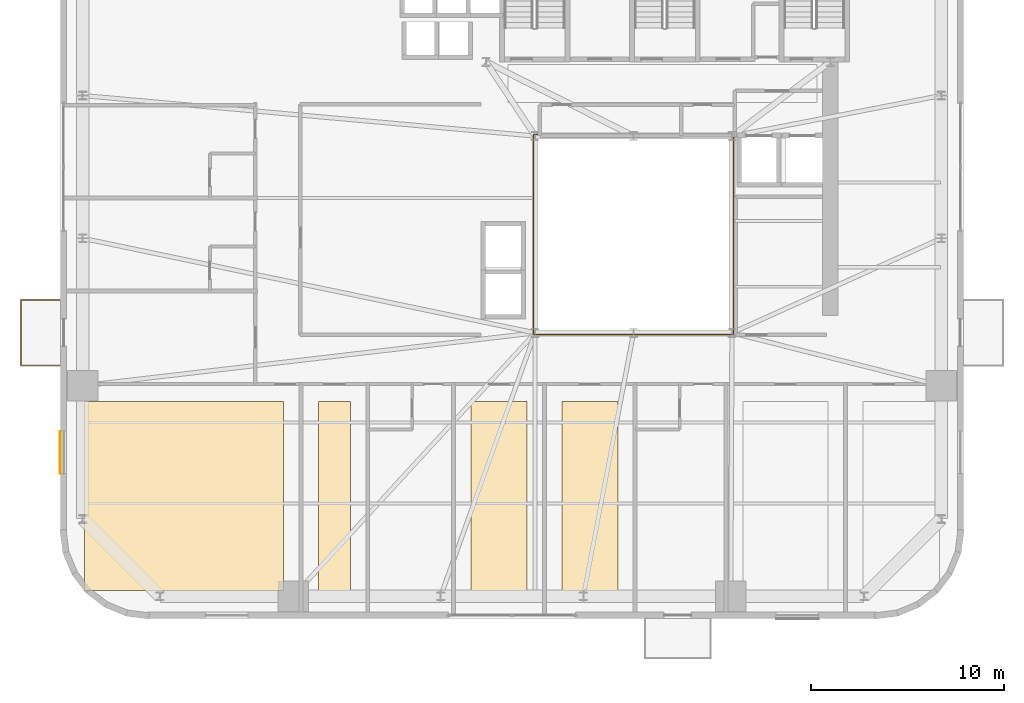
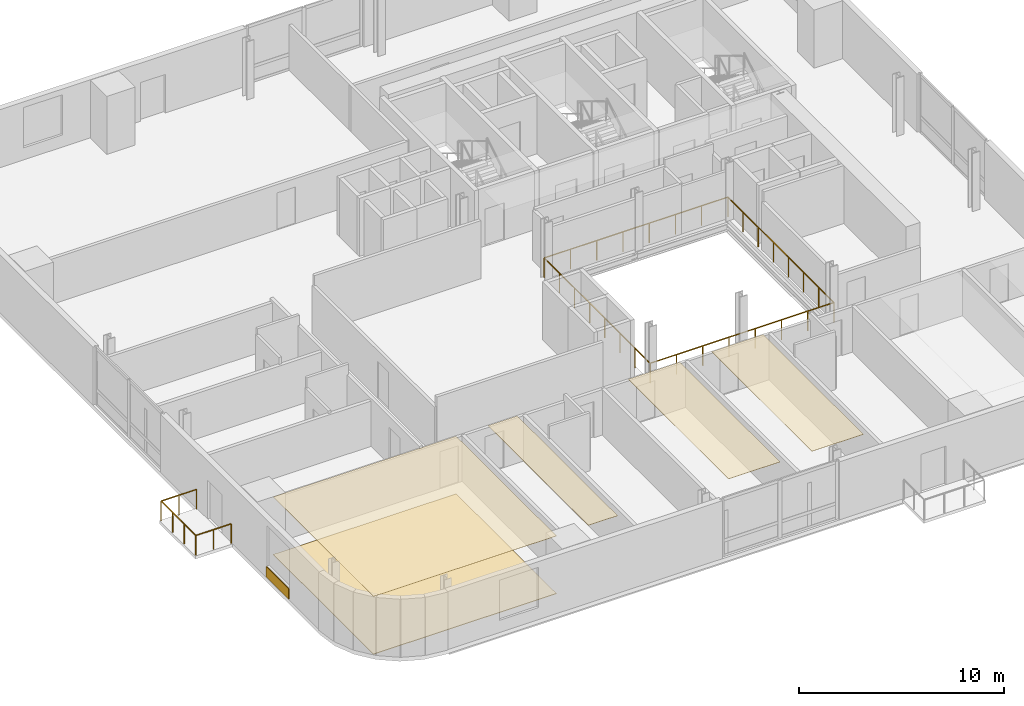
# One storey, part 10 of 14: 6 coverings, 2 railings.
"""IFC4 building model written with IfcOpenShell, lengths in metres."""

import ifcopenshell
import ifcopenshell.guid

model = None  # the IFC model being written
_history = None  # IfcOwnerHistory: only IFC2X3 demands one
_inside = {}  # id of a spatial element -> (the spatial element, [elements in it])
_under = {}  # id of a project, library or spatial element -> (it, [spatial elements below it])
_declared = {}  # id of a project -> (the project, [libraries it declares])
_typed = {}  # id of a type object -> (the type object, [elements of that type])
_made_of = {}  # id of a material, layer set ... -> (it, [elements and type objects made of it])


def new_model(schema):
    """Start an empty IFC model of exactly this schema.

    Asked for "IFC4X3", IfcOpenShell would pick the latest addendum, in which some entities
    have other attributes; the version numbers below select the first issue.
    IFC2X3 requires an IfcOwnerHistory on every rooted entity: one is made here for all.
    """
    global model, _history
    if schema == "IFC4X3":
        model = ifcopenshell.file(schema_version=(4, 3, 0, 0))
    else:
        model = ifcopenshell.file(schema=schema)
    _inside.clear()
    _under.clear()
    _declared.clear()
    _typed.clear()
    _made_of.clear()
    _history = None
    if model.schema == "IFC2X3":
        org = make("IfcOrganization", Name="unknown")
        user = make(
            "IfcPersonAndOrganization",
            ThePerson=make("IfcPerson", FamilyName="unknown"),
            TheOrganization=org,
        )
        app = make(
            "IfcApplication",
            ApplicationDeveloper=org,
            Version="unknown",
            ApplicationFullName="unknown",
            ApplicationIdentifier="unknown",
        )
        _history = make(
            "IfcOwnerHistory",
            OwningUser=user,
            OwningApplication=app,
            ChangeAction="ADDED",
            CreationDate=0,
        )
    return model


def make(cls, **values):
    """One entity of the class cls with the attributes given. An attribute that is None is left unset."""
    return model.create_entity(
        cls, **{name: value for name, value in values.items() if value is not None}
    )


def rooted(cls, **values):
    """An entity with a GlobalId (a new one), such as an element, a storey or a relation."""
    return make(cls, GlobalId=ifcopenshell.guid.new(), OwnerHistory=_history, **values)


def si_unit(unit_type, name, prefix=None):
    """IfcSIUnit, for example si_unit("LENGTHUNIT", "METRE", prefix="MILLI")."""
    return make("IfcSIUnit", UnitType=unit_type, Prefix=prefix, Name=name)


def assignment(units):
    """IfcUnitAssignment: the units of a project."""
    return None if units is None else make("IfcUnitAssignment", Units=units)


def point(xyz):
    """IfcCartesianPoint."""
    return None if xyz is None else make("IfcCartesianPoint", Coordinates=xyz)


def direction(xyz):
    """IfcDirection."""
    return None if xyz is None else make("IfcDirection", DirectionRatios=xyz)


def frame(location, z_axis=None, x_axis=None):
    """IfcAxis2Placement3D, a coordinate frame: its origin and axes. An axis left out is left unset."""
    return make(
        "IfcAxis2Placement3D",
        Location=point(location),
        Axis=direction(z_axis),
        RefDirection=direction(x_axis),
    )


def frame_2d(location, x_axis=None):
    """IfcAxis2Placement2D, a coordinate frame in the plane: its origin and x axis."""
    return make(
        "IfcAxis2Placement2D", Location=point(location), RefDirection=direction(x_axis)
    )


def origin():
    """The frame at (0, 0, 0) with its axes left unset."""
    return frame((0.0, 0.0, 0.0))


def origin_2d():
    """The frame at (0, 0) in the plane with its x axis left unset."""
    return frame_2d((0.0, 0.0))


def place(relative_to, where):
    """IfcLocalPlacement: puts the frame where relative to a parent placement (None: the world)."""
    return make(
        "IfcLocalPlacement", PlacementRelTo=relative_to, RelativePlacement=where
    )


def context(
    kind, dimensions, precision=None, world=None, true_north=None, identifier=None
):
    """IfcGeometricRepresentationContext, for example the 3D "Model" context."""
    return make(
        "IfcGeometricRepresentationContext",
        ContextIdentifier=identifier,
        ContextType=kind,
        CoordinateSpaceDimension=dimensions,
        Precision=precision,
        WorldCoordinateSystem=world,
        TrueNorth=true_north,
    )


def subcontext(parent, identifier, kind, view, scale=None):
    """IfcGeometricRepresentationSubContext, for example "Body" below "Model"."""
    return make(
        "IfcGeometricRepresentationSubContext",
        ContextIdentifier=identifier,
        ContextType=kind,
        ParentContext=parent,
        TargetScale=scale,
        TargetView=view,
    )


def project(units=None, contexts=None):
    """IfcProject with its units and contexts."""
    return rooted(
        "IfcProject",
        Name="project",
        RepresentationContexts=contexts,
        UnitsInContext=assignment(units),
    )


def spatial(cls, under=None, at=None, **own):
    """A site, building, storey or space (cls), placed at a placement, below another one or the project."""
    s = rooted(cls, ObjectPlacement=at, **own)
    if under is not None:
        _under.setdefault(under.id(), (under, []))[1].append(s)
    return s


def polyline(points):
    """IfcPolyline through the points."""
    return make("IfcPolyline", Points=[point(p) for p in points])


def profile(cls, at=None, kind="AREA", **sizes):
    """A parametric profile (cls). Its sizes go by their IFC names, for example OverallWidth=200.0."""
    return make(cls, ProfileType=kind, Position=at, **sizes)


def rectangle(**sizes):
    """IfcRectangleProfileDef."""
    return profile("IfcRectangleProfileDef", **sizes)


def outline(outer, holes=None, kind="AREA"):
    """IfcArbitraryClosedProfileDef: a profile drawn as a closed curve; with holes, ...WithVoids."""
    if holes is None:
        return make("IfcArbitraryClosedProfileDef", ProfileType=kind, OuterCurve=outer)
    return make(
        "IfcArbitraryProfileDefWithVoids",
        ProfileType=kind,
        OuterCurve=outer,
        InnerCurves=holes,
    )


def extrude(swept, where, along, depth):
    """IfcExtrudedAreaSolid: the profile swept, set in the frame where, extruded along a direction by depth."""
    return make(
        "IfcExtrudedAreaSolid",
        SweptArea=swept,
        Position=where,
        ExtrudedDirection=direction(along),
        Depth=depth,
    )


def shape(context_of_items, identifier, shape_type, items):
    """IfcShapeRepresentation: the items that make up one representation, for example the "Body"."""
    return make(
        "IfcShapeRepresentation",
        ContextOfItems=context_of_items,
        RepresentationIdentifier=identifier,
        RepresentationType=shape_type,
        Items=items,
    )


def source(mapping_origin, context_of_items, identifier, shape_type, items):
    """IfcRepresentationMap: a shape defined once, which mapped items show again and again."""
    return make(
        "IfcRepresentationMap",
        MappingOrigin=mapping_origin,
        MappedRepresentation=shape(context_of_items, identifier, shape_type, items),
    )


def transform(
    local_origin,
    x_axis=None,
    y_axis=None,
    z_axis=None,
    scale=None,
    scale2=None,
    scale3=None,
    uniform=True,
):
    """IfcCartesianTransformationOperator3D, or its non-uniform kind. x_axis, y_axis, z_axis: its Axis1, 2, 3."""
    if uniform:
        return make(
            "IfcCartesianTransformationOperator3D",
            Axis1=direction(x_axis),
            Axis2=direction(y_axis),
            LocalOrigin=point(local_origin),
            Scale=scale,
            Axis3=direction(z_axis),
        )
    return make(
        "IfcCartesianTransformationOperator3DnonUniform",
        Axis1=direction(x_axis),
        Axis2=direction(y_axis),
        LocalOrigin=point(local_origin),
        Scale=scale,
        Axis3=direction(z_axis),
        Scale2=scale2,
        Scale3=scale3,
    )


def mapped(mapping_source, mapping_target):
    """IfcMappedItem: shows the shape of a source again, moved by a transform."""
    return make(
        "IfcMappedItem", MappingSource=mapping_source, MappingTarget=mapping_target
    )


def material(Name=None, Category=None):
    """IfcMaterial."""
    return make("IfcMaterial", Name=Name, Category=Category)


def layer(
    of_material, thickness, ventilated=None, Name=None, Category=None, Priority=None
):
    """IfcMaterialLayer: one layer of a wall or slab, of a material (None: an air gap)."""
    return make(
        "IfcMaterialLayer",
        Material=of_material,
        LayerThickness=thickness,
        IsVentilated=ventilated,
        Name=Name,
        Category=Category,
        Priority=Priority,
    )


def layer_set(layers, Name=None):
    """IfcMaterialLayerSet."""
    return make("IfcMaterialLayerSet", MaterialLayers=layers, LayerSetName=Name)


def made_of(thing, what):
    """Note that an element or type object is made of a material, layer set ...; save() writes the relation."""
    if what is not None:
        _made_of.setdefault(what.id(), (what, []))[1].append(thing)
    return thing


def type_object(cls, material=None, **own):
    """A type object (cls), such as IfcWallType, which elements share."""
    return made_of(rooted(cls, **own), material)


def element(
    cls,
    number,
    at=None,
    inside=None,
    cuts=None,
    type_object=None,
    material=None,
    context=None,
    identifier="Body",
    shape_type=None,
    held_by="IfcProductDefinitionShape",
    body=None,
    shapes=None,
    **own,
):
    """One element of the class cls, such as IfcWall. Its Tag is "e" and its number.

    at: its placement. inside: the storey or other place that contains it. cuts: it is an
    opening in that element (IfcRelVoidsElement). A single representation is given by context,
    identifier, shape_type and body (its items); several are given by shapes. held_by: the class
    of the entity that holds the representations. save() writes the other relations.
    """
    e = rooted(cls, Tag="e%d" % number, ObjectPlacement=at, **own)
    if body is not None:
        shapes = [shape(context, identifier, shape_type, body)]
    if shapes is not None:
        e.Representation = make(held_by, Representations=shapes)
    if inside is not None:
        _inside.setdefault(inside.id(), (inside, []))[1].append(e)
    if cuts is not None:
        rooted(
            "IfcRelVoidsElement", RelatingBuildingElement=cuts, RelatedOpeningElement=e
        )
    if type_object is not None:
        _typed.setdefault(type_object.id(), (type_object, []))[1].append(e)
    return made_of(e, material)


def aggregate(whole, parts):
    """IfcRelAggregates: a whole, such as a stair, and the parts it consists of."""
    return rooted("IfcRelAggregates", RelatingObject=whole, RelatedObjects=parts)


def save(model, path):
    """Write the relations noted so far, then the file.

    IfcRelAggregates (storeys below a building ...), IfcRelContainedInSpatialStructure (elements
    in a storey), IfcRelDefinesByType, IfcRelAssociatesMaterial and IfcRelDeclares: one each for
    every whole, place, type object, material and project.
    """
    for whole, parts in _under.values():
        aggregate(whole, parts)
    for where, things in _inside.values():
        rooted(
            "IfcRelContainedInSpatialStructure",
            RelatedElements=things,
            RelatingStructure=where,
        )
    for kind, things in _typed.values():
        rooted("IfcRelDefinesByType", RelatedObjects=things, RelatingType=kind)
    for what, things in _made_of.values():
        rooted("IfcRelAssociatesMaterial", RelatedObjects=things, RelatingMaterial=what)
    for by, libraries in _declared.values():
        rooted("IfcRelDeclares", RelatingContext=by, RelatedDefinitions=libraries)
    model.write(path)


model = new_model("IFC4")

# Units and contexts
model_context = context("Model", 3, precision=1e-05, world=origin(), true_north=direction((0.0, 1.0)))
body_context = subcontext(model_context, "Body", "Model", "MODEL_VIEW")
ifc_project = project(units=[si_unit("LENGTHUNIT", "METRE"), si_unit("AREAUNIT", "SQUARE_METRE"), si_unit("VOLUMEUNIT", "CUBIC_METRE"), si_unit("PLANEANGLEUNIT", "RADIAN"), si_unit("MASSUNIT", "GRAM", prefix="KILO")], contexts=[model_context])

# Site, building, storey
site_placement = place(None, origin())
site = spatial("IfcSite", under=ifc_project, at=site_placement, CompositionType="ELEMENT")
building_placement = place(site_placement, origin())
building = spatial("IfcBuilding", under=site, at=building_placement, Name="Vardaveli Station Tower", CompositionType="ELEMENT")
storey_placement = place(building_placement, frame((0.0, 0.0, 152.0)))
storey = spatial("IfcBuildingStorey", under=building, at=storey_placement, Name="L39", CompositionType="ELEMENT", Elevation=152.0)

# Coverings
ifc_material_1 = material(Name="Perforated acoustic mineral ceiling")
ifc_layer_1 = layer(ifc_material_1, 0.02001953125, Name="Perforated acoustic mineral ceiling")
ifc_layer_set_1 = layer_set([ifc_layer_1], Name="Perforated acoustic mineral ceiling")
covering_type_1 = type_object("IfcCoveringType", Name="COV-CEIL-AC20", PredefinedType="CEILING", material=ifc_layer_set_1)
covering_1_placement = place(storey_placement, frame((0.0, 0.0, 3.445068359375)))
element("IfcCovering", 1, at=covering_1_placement, inside=storey, type_object=covering_type_1, Name="CEIL-L39-1", PredefinedType="CEILING", context=body_context, shape_type="SweptSolid", body=[
    extrude(outline(polyline([(7.85009765625, 3.25), (18.169921875, 3.25), (18.169921875, 13.050048828125), (7.85009765625, 13.050048828125), (7.85009765625, 3.25)])), origin(), (0.0, 0.0, 1.0), 0.02001953125),
])
covering_2_placement = place(storey_placement, frame((0.0, 0.0, 3.445068359375)))
element("IfcCovering", 2, at=covering_2_placement, inside=storey, type_object=covering_type_1, Name="CEIL-L39-2", PredefinedType="CEILING", context=body_context, shape_type="SweptSolid", body=[
    extrude(outline(polyline([(19.969970703125, 3.25), (21.6201171875, 3.25), (21.6201171875, 13.050048828125), (19.969970703125, 13.050048828125), (19.969970703125, 3.25)])), origin(), (0.0, 0.0, 1.0), 0.02001953125),
])
covering_3_placement = place(storey_placement, frame((0.0, 0.0, 3.445068359375)))
element("IfcCovering", 3, at=covering_3_placement, inside=storey, type_object=covering_type_1, Name="CEIL-L39-3", PredefinedType="CEILING", context=body_context, shape_type="SweptSolid", body=[
    extrude(outline(polyline([(27.875732421875, 3.25), (30.77880859375, 3.25), (30.77880859375, 13.050048828125), (27.875732421875, 13.050048828125), (27.875732421875, 3.25)])), origin(), (0.0, 0.0, 1.0), 0.02001953125),
])
covering_4_placement = place(storey_placement, frame((0.0, 0.0, 3.445068359375)))
element("IfcCovering", 4, at=covering_4_placement, inside=storey, type_object=covering_type_1, Name="CEIL-L39-4", PredefinedType="CEILING", context=body_context, shape_type="SweptSolid", body=[
    extrude(outline(polyline([(32.57861328125, 3.25), (35.481689453125, 3.25), (35.481689453125, 13.050048828125), (32.57861328125, 13.050048828125), (32.57861328125, 3.25)])), origin(), (0.0, 0.0, 1.0), 0.02001953125),
])
ifc_material_2 = material(Name="Honed Caucasian basalt and travertine flooring", Category="masonry")
ifc_layer_2 = layer(ifc_material_2, 0.030029296875, Name="Honed Caucasian basalt and travertine flooring")
ifc_layer_set_2 = layer_set([ifc_layer_2], Name="Honed Caucasian basalt and travertine flooring")
covering_type_2 = type_object("IfcCoveringType", Name="COV-FLOOR-ST30", PredefinedType="FLOORING", material=ifc_layer_set_2)
covering_5_placement = place(storey_placement, origin())
element("IfcCovering", 5, at=covering_5_placement, inside=storey, type_object=covering_type_2, Name="FLR-L39-1", PredefinedType="FLOORING", context=body_context, shape_type="SweptSolid", body=[
    extrude(outline(polyline([(7.85009765625, 3.25), (18.169921875, 3.25), (18.169921875, 13.050048828125), (7.85009765625, 13.050048828125), (7.85009765625, 3.25)])), origin(), (0.0, 0.0, 1.0), 0.030029296875),
])
ifc_material_3 = material(Name="Ventilated honed travertine stone cladding", Category="masonry")
ifc_layer_3 = layer(ifc_material_3, 0.044921875, Name="Ventilated honed travertine stone cladding")
ifc_layer_set_3 = layer_set([ifc_layer_3], Name="Ventilated honed travertine stone cladding")
covering_type_3 = type_object("IfcCoveringType", Name="COV-CLAD-TR45", PredefinedType="CLADDING", material=ifc_layer_set_3)
shared_shape_1 = source(origin(), body_context, "Body", "SweptSolid", [
    extrude(rectangle(XDim=2.199951171875, YDim=0.044921875, at=origin_2d()), origin(), (0.0, 0.0, 1.0), 0.6201171875),
])
covering_6_placement = place(storey_placement, frame((6.58544921875, 10.405029296875, 0.06982421875), z_axis=(0.0, 0.0, 1.0), x_axis=(0.0, 1.0, 0.0)))
element("IfcCovering", 6, at=covering_6_placement, inside=storey, type_object=covering_type_3, Name="CLD-TR-L39-W", PredefinedType="CLADDING", context=body_context, shape_type="MappedRepresentation", body=[
    mapped(shared_shape_1, transform((0.0, 0.0, 0.0), scale=1.0)),
])

# Railings
ifc_material_4 = material(Name="Laminated glass and stainless steel balustrade", Category="steel")
railing_type = type_object("IfcRailingType", Name="RL-BAL-1200", PredefinedType="BALUSTRADE", material=ifc_material_4)
shared_shape_2 = source(origin(), body_context, "Body", "SweptSolid", [
    extrude(rectangle(XDim=0.048095703125, YDim=0.048095703125, at=origin_2d()), frame((0.0, 0.0, 1.17578125), z_axis=(-1.0, 0.0, 0.0), x_axis=(0.0, -1.0, 0.0)), (0.0, 0.0, 1.0), 2.0),
    extrude(rectangle(XDim=0.048095703125, YDim=0.048095703125, at=origin_2d()), frame((-2.0, 0.0, 1.17578125), z_axis=(0.0, 1.0, 0.0), x_axis=(-1.0, 0.0, 0.0)), (0.0, 0.0, 1.0), 3.3798828125),
    extrude(rectangle(XDim=0.048095703125, YDim=0.048095703125, at=origin_2d()), frame((-2.0, 3.3798828125, 1.17578125), z_axis=(1.0, 0.0, 0.0), x_axis=(0.0, 1.0, 0.0)), (0.0, 0.0, 1.0), 2.0),
    extrude(rectangle(XDim=0.0419921875, YDim=0.0419921875, at=origin_2d()), origin(), (0.0, 0.0, 1.0), 1.15185546875),
    extrude(rectangle(XDim=0.0419921875, YDim=0.0419921875, at=origin_2d()), frame((-1.0, 0.0, 0.0)), (0.0, 0.0, 1.0), 1.15185546875),
    extrude(rectangle(XDim=0.0419921875, YDim=0.0419921875, at=origin_2d()), frame((-2.0, 0.0, 0.0)), (0.0, 0.0, 1.0), 1.15185546875),
    extrude(rectangle(XDim=0.0419921875, YDim=0.0419921875, at=origin_2d()), frame((-2.0, 1.126708984375, 0.0)), (0.0, 0.0, 1.0), 1.15185546875),
    extrude(rectangle(XDim=0.0419921875, YDim=0.0419921875, at=origin_2d()), frame((-2.0, 2.253173828125, 0.0)), (0.0, 0.0, 1.0), 1.15185546875),
    extrude(rectangle(XDim=0.0419921875, YDim=0.0419921875, at=origin_2d()), frame((-2.0, 3.3798828125, 0.0)), (0.0, 0.0, 1.0), 1.15185546875),
    extrude(rectangle(XDim=0.0419921875, YDim=0.0419921875, at=origin_2d()), frame((-1.0, 3.3798828125, 0.0)), (0.0, 0.0, 1.0), 1.15185546875),
    extrude(rectangle(XDim=0.0419921875, YDim=0.0419921875, at=origin_2d()), frame((0.0, 3.3798828125, 0.0)), (0.0, 0.0, 1.0), 1.15185546875),
])
railing_1_placement = place(storey_placement, frame((6.56005859375, 14.92041015625, 0.0)))
element("IfcRailing", 7, at=railing_1_placement, inside=storey, type_object=railing_type, Name="RL-LOG-L39-03", PredefinedType="BALUSTRADE", context=body_context, shape_type="MappedRepresentation", body=[
    mapped(shared_shape_2, transform((0.0, 0.0, 0.0), scale=1.0)),
])
shared_shape_3 = source(origin(), body_context, "Body", "SweptSolid", [
    extrude(rectangle(XDim=0.048095703125, YDim=0.048095703125, at=origin_2d()), frame((0.0, 0.0, 1.17578125), z_axis=(1.0, 0.0, 0.0), x_axis=(0.0, 1.0, 0.0)), (0.0, 0.0, 1.0), 10.35986328125),
    extrude(rectangle(XDim=0.048095703125, YDim=0.048095703125, at=origin_2d()), frame((10.35986328125, 0.0, 1.17578125), z_axis=(0.0, 1.0, 0.0), x_axis=(-1.0, 0.0, 0.0)), (0.0, 0.0, 1.0), 10.35986328125),
    extrude(rectangle(XDim=0.048095703125, YDim=0.048095703125, at=origin_2d()), frame((10.35986328125, 10.35986328125, 1.17578125), z_axis=(-1.0, 0.0, 0.0), x_axis=(0.0, -1.0, 0.0)), (0.0, 0.0, 1.0), 10.35986328125),
    extrude(rectangle(XDim=0.048095703125, YDim=0.048095703125, at=origin_2d()), frame((0.0, 10.35986328125, 1.17578125), z_axis=(0.0, -1.0, 0.0), x_axis=(1.0, 0.0, 0.0)), (0.0, 0.0, 1.0), 10.35986328125),
    extrude(rectangle(XDim=0.0419921875, YDim=0.0419921875, at=origin_2d()), origin(), (0.0, 0.0, 1.0), 1.15185546875),
    extrude(rectangle(XDim=0.0419921875, YDim=0.0419921875, at=origin_2d()), frame((1.47998046875, 0.0, 0.0)), (0.0, 0.0, 1.0), 1.15185546875),
    extrude(rectangle(XDim=0.0419921875, YDim=0.0419921875, at=origin_2d()), frame((2.9599609375, 0.0, 0.0)), (0.0, 0.0, 1.0), 1.15185546875),
    extrude(rectangle(XDim=0.0419921875, YDim=0.0419921875, at=origin_2d()), frame((4.43994140625, 0.0, 0.0)), (0.0, 0.0, 1.0), 1.15185546875),
    extrude(rectangle(XDim=0.0419921875, YDim=0.0419921875, at=origin_2d()), frame((5.919921875, 0.0, 0.0)), (0.0, 0.0, 1.0), 1.15185546875),
    extrude(rectangle(XDim=0.0419921875, YDim=0.0419921875, at=origin_2d()), frame((7.39990234375, 0.0, 0.0)), (0.0, 0.0, 1.0), 1.15185546875),
    extrude(rectangle(XDim=0.0419921875, YDim=0.0419921875, at=origin_2d()), frame((8.8798828125, 0.0, 0.0)), (0.0, 0.0, 1.0), 1.15185546875),
    extrude(rectangle(XDim=0.0419921875, YDim=0.0419921875, at=origin_2d()), frame((10.35986328125, 0.0, 0.0)), (0.0, 0.0, 1.0), 1.15185546875),
    extrude(rectangle(XDim=0.0419921875, YDim=0.0419921875, at=origin_2d()), frame((10.35986328125, 1.47998046875, 0.0)), (0.0, 0.0, 1.0), 1.15185546875),
    extrude(rectangle(XDim=0.0419921875, YDim=0.0419921875, at=origin_2d()), frame((10.35986328125, 2.9599609375, 0.0)), (0.0, 0.0, 1.0), 1.15185546875),
    extrude(rectangle(XDim=0.0419921875, YDim=0.0419921875, at=origin_2d()), frame((10.35986328125, 4.43994140625, 0.0)), (0.0, 0.0, 1.0), 1.15185546875),
    extrude(rectangle(XDim=0.0419921875, YDim=0.0419921875, at=origin_2d()), frame((10.35986328125, 5.919921875, 0.0)), (0.0, 0.0, 1.0), 1.15185546875),
    extrude(rectangle(XDim=0.0419921875, YDim=0.0419921875, at=origin_2d()), frame((10.35986328125, 7.39990234375, 0.0)), (0.0, 0.0, 1.0), 1.15185546875),
    extrude(rectangle(XDim=0.0419921875, YDim=0.0419921875, at=origin_2d()), frame((10.35986328125, 8.8798828125, 0.0)), (0.0, 0.0, 1.0), 1.15185546875),
    extrude(rectangle(XDim=0.0419921875, YDim=0.0419921875, at=origin_2d()), frame((10.35986328125, 10.35986328125, 0.0)), (0.0, 0.0, 1.0), 1.15185546875),
    extrude(rectangle(XDim=0.0419921875, YDim=0.0419921875, at=origin_2d()), frame((8.8798828125, 10.35986328125, 0.0)), (0.0, 0.0, 1.0), 1.15185546875),
    extrude(rectangle(XDim=0.0419921875, YDim=0.0419921875, at=origin_2d()), frame((7.39990234375, 10.35986328125, 0.0)), (0.0, 0.0, 1.0), 1.15185546875),
    extrude(rectangle(XDim=0.0419921875, YDim=0.0419921875, at=origin_2d()), frame((5.919921875, 10.35986328125, 0.0)), (0.0, 0.0, 1.0), 1.15185546875),
    extrude(rectangle(XDim=0.0419921875, YDim=0.0419921875, at=origin_2d()), frame((4.43994140625, 10.35986328125, 0.0)), (0.0, 0.0, 1.0), 1.15185546875),
    extrude(rectangle(XDim=0.0419921875, YDim=0.0419921875, at=origin_2d()), frame((2.9599609375, 10.35986328125, 0.0)), (0.0, 0.0, 1.0), 1.15185546875),
    extrude(rectangle(XDim=0.0419921875, YDim=0.0419921875, at=origin_2d()), frame((1.47998046875, 10.35986328125, 0.0)), (0.0, 0.0, 1.0), 1.15185546875),
    extrude(rectangle(XDim=0.0419921875, YDim=0.0419921875, at=origin_2d()), frame((0.0, 10.35986328125, 0.0)), (0.0, 0.0, 1.0), 1.15185546875),
    extrude(rectangle(XDim=0.0419921875, YDim=0.0419921875, at=origin_2d()), frame((0.0, 8.8798828125, 0.0)), (0.0, 0.0, 1.0), 1.15185546875),
    extrude(rectangle(XDim=0.0419921875, YDim=0.0419921875, at=origin_2d()), frame((0.0, 7.39990234375, 0.0)), (0.0, 0.0, 1.0), 1.15185546875),
    extrude(rectangle(XDim=0.0419921875, YDim=0.0419921875, at=origin_2d()), frame((0.0, 5.919921875, 0.0)), (0.0, 0.0, 1.0), 1.15185546875),
    extrude(rectangle(XDim=0.0419921875, YDim=0.0419921875, at=origin_2d()), frame((0.0, 4.43994140625, 0.0)), (0.0, 0.0, 1.0), 1.15185546875),
    extrude(rectangle(XDim=0.0419921875, YDim=0.0419921875, at=origin_2d()), frame((0.0, 2.9599609375, 0.0)), (0.0, 0.0, 1.0), 1.15185546875),
    extrude(rectangle(XDim=0.0419921875, YDim=0.0419921875, at=origin_2d()), frame((0.0, 1.47998046875, 0.0)), (0.0, 0.0, 1.0), 1.15185546875),
])
railing_2_placement = place(storey_placement, frame((31.1201171875, 16.52001953125, 0.0)))
element("IfcRailing", 8, at=railing_2_placement, inside=storey, type_object=railing_type, Name="RL-ATR-L39", PredefinedType="BALUSTRADE", context=body_context, shape_type="MappedRepresentation", body=[
    mapped(shared_shape_3, transform((0.0, 0.0, 0.0), scale=1.0)),
])

save(model, "model.ifc")
